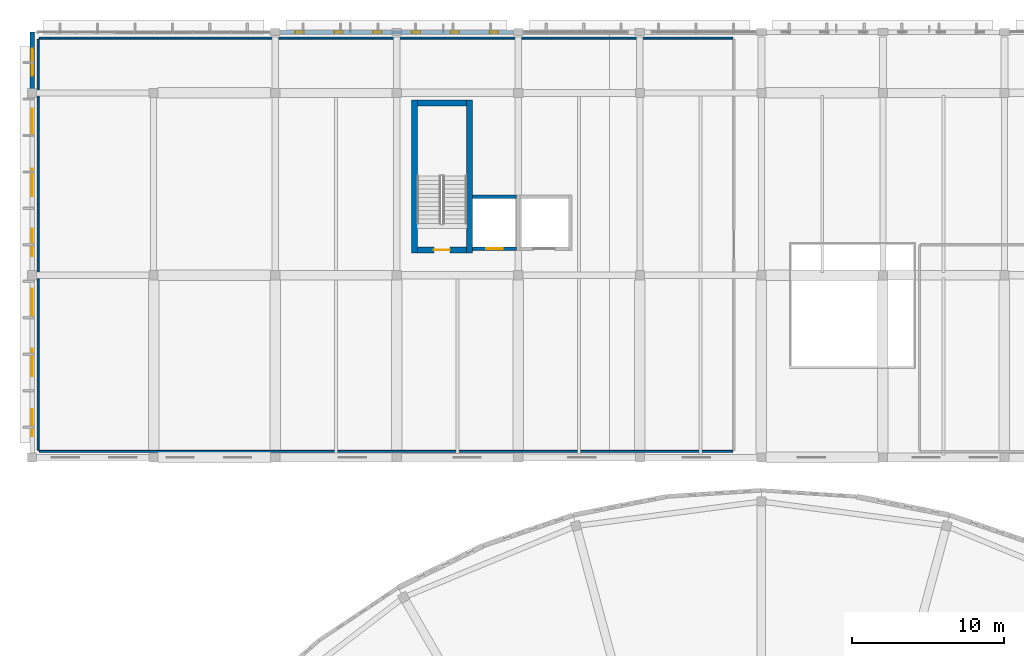
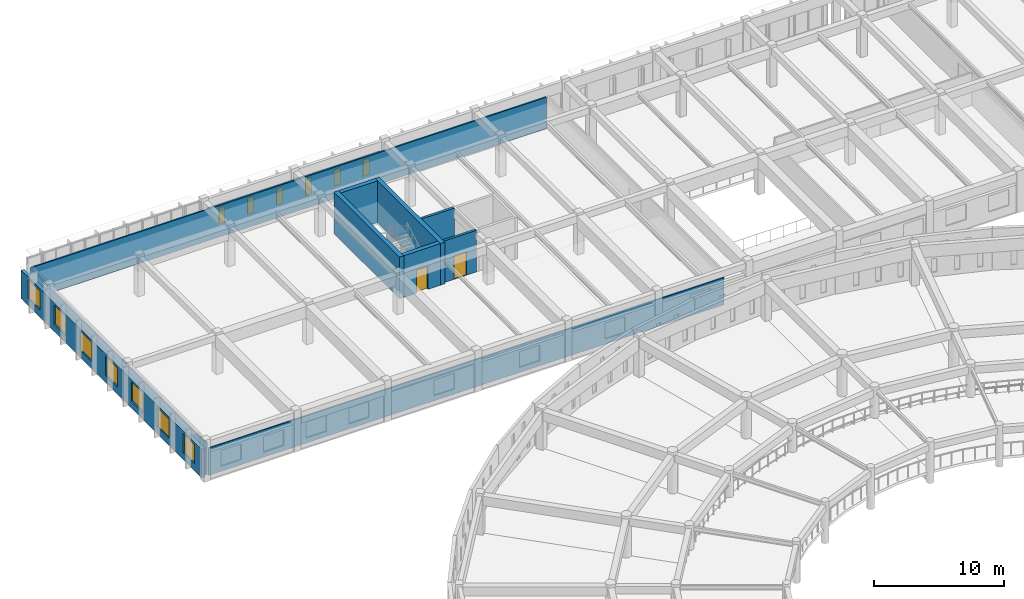
# One storey, part 66 of 98: 13 windows, 11 walls, 2 doors, 15 openings.
"""IFC4 building model written with IfcOpenShell, lengths in metres."""

from ifc_helpers import new_model, si_unit, direction, frame, frame_2d, origin, place, context, subcontext, project, spatial, rectangle, extrude, material, layer, layer_set, type_object, element, fill, save


model = new_model("IFC4")

# Units and contexts
model_context = context("Model", 3, precision=1e-05, world=origin(), true_north=direction((0.0, 1.0)))
body_context = subcontext(model_context, "Body", "Model", "MODEL_VIEW")
ifc_project = project(units=[si_unit("LENGTHUNIT", "METRE"), si_unit("AREAUNIT", "SQUARE_METRE"), si_unit("VOLUMEUNIT", "CUBIC_METRE"), si_unit("PLANEANGLEUNIT", "RADIAN"), si_unit("MASSUNIT", "GRAM", prefix="KILO")], contexts=[model_context])

# Site, building, storey
site_placement = place(None, origin())
site = spatial("IfcSite", under=ifc_project, at=site_placement, CompositionType="ELEMENT")
building_placement = place(site_placement, origin())
building = spatial("IfcBuilding", under=site, at=building_placement, Name="Larkveld Mobility Hub", CompositionType="ELEMENT")
storey_placement = place(building_placement, frame((0.0, 0.0, 4.5)))
storey = spatial("IfcBuildingStorey", under=building, at=storey_placement, Name="L01", CompositionType="ELEMENT", Elevation=4.5)

# Wall, openings, windows
ifc_material_1 = material(Name="Glazed architectural ceramic masonry 20 MPa", Category="masonry")
ifc_layer_1 = layer(ifc_material_1, 0.2451171875, Name="Glazed architectural ceramic masonry 20 MPa", Category="masonry")
ifc_layer_set_1 = layer_set([ifc_layer_1], Name="Glazed architectural ceramic masonry 20 MPa")
wall_type_1 = type_object("IfcWallType", Name="WL-COB-245", PredefinedType="USERDEFINED", material=ifc_layer_set_1)
wall_1_placement = place(storey_placement, frame((31.6650390625, 126.0, 0.0), z_axis=(0.0, 0.0, 1.0), x_axis=(-1.0, 0.0, 0.0)))
wall_1 = element("IfcWall", 1, at=wall_1_placement, inside=storey, type_object=wall_type_1, Name="Bicycle Hall Ceramic Cobogo Screen L01-0187", ObjectType="CERAMIC COBOGO SCREEN", PredefinedType="USERDEFINED", context=body_context, shape_type="SweptSolid", body=[
    extrude(rectangle(XDim=15.330078125, YDim=0.2451171875, at=frame_2d((7.6650390625, 0.0))), origin(), (0.0, 0.0, 1.0), 2.6650390625),
])
opening_1_placement = place(wall_1_placement, frame((0.9970703125, 0.0, 0.85009765625)))
opening_1 = element("IfcOpeningElement", 2, at=opening_1_placement, cuts=wall_1, Name="Opening W04", PredefinedType="OPENING", context=body_context, shape_type="SweptSolid", body=[
    extrude(rectangle(XDim=0.56005859375, YDim=1.550048828125, at=frame_2d((0.280029296875, 0.77490234375))), frame((0.0, 0.132568359375, 0.0), z_axis=(0.0, -1.0, 0.0), x_axis=(1.0, 0.0, 0.0)), (0.0, 0.0, 1.0), 0.26513671875),
])
opening_2_placement = place(wall_1_placement, frame((3.552001953125, 0.0, 0.85009765625)))
opening_2 = element("IfcOpeningElement", 3, at=opening_2_placement, cuts=wall_1, Name="Opening W04", PredefinedType="OPENING", context=body_context, shape_type="SweptSolid", body=[
    extrude(rectangle(XDim=0.56005859375, YDim=1.550048828125, at=frame_2d((0.280029296875, 0.77490234375))), frame((0.0, 0.132568359375, 0.0), z_axis=(0.0, -1.0, 0.0), x_axis=(1.0, 0.0, 0.0)), (0.0, 0.0, 1.0), 0.26513671875),
])
opening_3_placement = place(wall_1_placement, frame((6.10693359375, 0.0, 0.85009765625)))
opening_3 = element("IfcOpeningElement", 4, at=opening_3_placement, cuts=wall_1, Name="Opening W04", PredefinedType="OPENING", context=body_context, shape_type="SweptSolid", body=[
    extrude(rectangle(XDim=0.56005859375, YDim=1.550048828125, at=frame_2d((0.280029296875, 0.77490234375))), frame((0.0, 0.132568359375, 0.0), z_axis=(0.0, -1.0, 0.0), x_axis=(1.0, 0.0, 0.0)), (0.0, 0.0, 1.0), 0.26513671875),
])
opening_4_placement = place(wall_1_placement, frame((8.662109375, 0.0, 0.85009765625)))
opening_4 = element("IfcOpeningElement", 5, at=opening_4_placement, cuts=wall_1, Name="Opening W04", PredefinedType="OPENING", context=body_context, shape_type="SweptSolid", body=[
    extrude(rectangle(XDim=0.56005859375, YDim=1.550048828125, at=frame_2d((0.280029296875, 0.77490234375))), frame((0.0, 0.132568359375, 0.0), z_axis=(0.0, -1.0, 0.0), x_axis=(1.0, 0.0, 0.0)), (0.0, 0.0, 1.0), 0.26513671875),
])
opening_5_placement = place(wall_1_placement, frame((11.217041015625, 0.0, 0.85009765625)))
opening_5 = element("IfcOpeningElement", 6, at=opening_5_placement, cuts=wall_1, Name="Opening W04", PredefinedType="OPENING", context=body_context, shape_type="SweptSolid", body=[
    extrude(rectangle(XDim=0.56005859375, YDim=1.550048828125, at=frame_2d((0.280029296875, 0.77490234375))), frame((0.0, 0.132568359375, 0.0), z_axis=(0.0, -1.0, 0.0), x_axis=(1.0, 0.0, 0.0)), (0.0, 0.0, 1.0), 0.26513671875),
])
opening_6_placement = place(wall_1_placement, frame((13.77197265625, 0.0, 0.85009765625)))
opening_6 = element("IfcOpeningElement", 7, at=opening_6_placement, cuts=wall_1, Name="Opening W04", PredefinedType="OPENING", context=body_context, shape_type="SweptSolid", body=[
    extrude(rectangle(XDim=0.56005859375, YDim=1.550048828125, at=frame_2d((0.280029296875, 0.77490234375))), frame((0.0, 0.132568359375, 0.0), z_axis=(0.0, -1.0, 0.0), x_axis=(1.0, 0.0, 0.0)), (0.0, 0.0, 1.0), 0.26513671875),
])
ifc_material_2 = material(Name="Extruded aluminium cobogo vent frame", Category="aluminium")
window_type_1 = type_object("IfcWindowType", Name="WN-VENT-04", PartitioningType="SINGLE_PANEL", PredefinedType="WINDOW", material=ifc_material_2)
window_1_placement = place(opening_1_placement, origin())
window_1 = element("IfcWindow", 8, at=window_1_placement, inside=storey, type_object=window_type_1, Name="Window W04 (0873)", OverallHeight=1.550048828125, OverallWidth=0.56005859375, PartitioningType="SINGLE_PANEL", PredefinedType="WINDOW", context=body_context, shape_type="SweptSolid", body=[
    extrude(rectangle(XDim=0.56005859375, YDim=1.550048828125, at=frame_2d((0.280029296875, 0.77490234375))), frame((0.0, 0.030029296875, 0.0), z_axis=(0.0, -1.0, 0.0), x_axis=(1.0, 0.0, 0.0)), (0.0, 0.0, 1.0), 0.06005859375),
])
fill(opening_1, window_1)
window_2_placement = place(opening_2_placement, origin())
window_2 = element("IfcWindow", 9, at=window_2_placement, inside=storey, type_object=window_type_1, Name="Window W04 (0874)", OverallHeight=1.550048828125, OverallWidth=0.56005859375, PartitioningType="SINGLE_PANEL", PredefinedType="WINDOW", context=body_context, shape_type="SweptSolid", body=[
    extrude(rectangle(XDim=0.56005859375, YDim=1.550048828125, at=frame_2d((0.280029296875, 0.77490234375))), frame((0.0, 0.030029296875, 0.0), z_axis=(0.0, -1.0, 0.0), x_axis=(1.0, 0.0, 0.0)), (0.0, 0.0, 1.0), 0.06005859375),
])
fill(opening_2, window_2)
window_3_placement = place(opening_3_placement, origin())
window_3 = element("IfcWindow", 10, at=window_3_placement, inside=storey, type_object=window_type_1, Name="Window W04 (0875)", OverallHeight=1.550048828125, OverallWidth=0.56005859375, PartitioningType="SINGLE_PANEL", PredefinedType="WINDOW", context=body_context, shape_type="SweptSolid", body=[
    extrude(rectangle(XDim=0.56005859375, YDim=1.550048828125, at=frame_2d((0.280029296875, 0.77490234375))), frame((0.0, 0.030029296875, 0.0), z_axis=(0.0, -1.0, 0.0), x_axis=(1.0, 0.0, 0.0)), (0.0, 0.0, 1.0), 0.06005859375),
])
fill(opening_3, window_3)
window_4_placement = place(opening_4_placement, origin())
window_4 = element("IfcWindow", 11, at=window_4_placement, inside=storey, type_object=window_type_1, Name="Window W04 (0876)", OverallHeight=1.550048828125, OverallWidth=0.56005859375, PartitioningType="SINGLE_PANEL", PredefinedType="WINDOW", context=body_context, shape_type="SweptSolid", body=[
    extrude(rectangle(XDim=0.56005859375, YDim=1.550048828125, at=frame_2d((0.280029296875, 0.77490234375))), frame((0.0, 0.030029296875, 0.0), z_axis=(0.0, -1.0, 0.0), x_axis=(1.0, 0.0, 0.0)), (0.0, 0.0, 1.0), 0.06005859375),
])
fill(opening_4, window_4)
window_5_placement = place(opening_5_placement, origin())
window_5 = element("IfcWindow", 12, at=window_5_placement, inside=storey, type_object=window_type_1, Name="Window W04 (0877)", OverallHeight=1.550048828125, OverallWidth=0.56005859375, PartitioningType="SINGLE_PANEL", PredefinedType="WINDOW", context=body_context, shape_type="SweptSolid", body=[
    extrude(rectangle(XDim=0.56005859375, YDim=1.550048828125, at=frame_2d((0.280029296875, 0.77490234375))), frame((0.0, 0.030029296875, 0.0), z_axis=(0.0, -1.0, 0.0), x_axis=(1.0, 0.0, 0.0)), (0.0, 0.0, 1.0), 0.06005859375),
])
fill(opening_5, window_5)
window_6_placement = place(opening_6_placement, origin())
window_6 = element("IfcWindow", 13, at=window_6_placement, inside=storey, type_object=window_type_1, Name="Window W04 (0878)", OverallHeight=1.550048828125, OverallWidth=0.56005859375, PartitioningType="SINGLE_PANEL", PredefinedType="WINDOW", context=body_context, shape_type="SweptSolid", body=[
    extrude(rectangle(XDim=0.56005859375, YDim=1.550048828125, at=frame_2d((0.280029296875, 0.77490234375))), frame((0.0, 0.030029296875, 0.0), z_axis=(0.0, -1.0, 0.0), x_axis=(1.0, 0.0, 0.0)), (0.0, 0.0, 1.0), 0.06005859375),
])
fill(opening_6, window_6)

ifc_material_3 = material(Name="Precast concrete C50/60", Category="concrete")
ifc_layer_2 = layer(ifc_material_3, 0.300048828125, Name="Precast concrete C50/60", Category="concrete")
ifc_layer_set_2 = layer_set([ifc_layer_2], Name="Precast concrete C50/60")
wall_type_2 = type_object("IfcWallType", Name="WL-EXT-300", PredefinedType="SOLIDWALL", material=ifc_layer_set_2)
wall_2_placement = place(storey_placement, frame((0.0, 126.0, 0.0), z_axis=(0.0, 0.0, 1.0), x_axis=(0.0, -1.0, 0.0)))
wall_2 = element("IfcWall", 14, at=wall_2_placement, inside=storey, type_object=wall_type_2, Name="Bicycle Hall West End Wall L01-0191", PredefinedType="SOLIDWALL", context=body_context, shape_type="SweptSolid", body=[
    extrude(rectangle(XDim=27.68994140625, YDim=0.300048828125, at=frame_2d((13.844970703125, 0.0))), origin(), (0.0, 0.0, 1.0), 2.6650390625),
])
opening_7_placement = place(wall_2_placement, frame((1.077880859375, 0.0, 0.6650390625)))
opening_7 = element("IfcOpeningElement", 15, at=opening_7_placement, cuts=wall_2, Name="Opening W12", PredefinedType="OPENING", context=body_context, shape_type="SweptSolid", body=[
    extrude(rectangle(XDim=1.800048828125, YDim=1.800048828125, at=frame_2d((0.89990234375, 0.89990234375))), frame((0.0, 0.16015625, 0.0), z_axis=(0.0, -1.0, 0.0), x_axis=(1.0, 0.0, 0.0)), (0.0, 0.0, 1.0), 0.320068359375),
])
opening_8_placement = place(wall_2_placement, frame((5.033935546875, 0.0, 0.6650390625)))
opening_8 = element("IfcOpeningElement", 16, at=opening_8_placement, cuts=wall_2, Name="Opening W12", PredefinedType="OPENING", context=body_context, shape_type="SweptSolid", body=[
    extrude(rectangle(XDim=1.800048828125, YDim=1.800048828125, at=frame_2d((0.89990234375, 0.89990234375))), frame((0.0, 0.16015625, 0.0), z_axis=(0.0, -1.0, 0.0), x_axis=(1.0, 0.0, 0.0)), (0.0, 0.0, 1.0), 0.320068359375),
])
opening_9_placement = place(wall_2_placement, frame((8.989013671875, 0.0, 0.6650390625)))
opening_9 = element("IfcOpeningElement", 17, at=opening_9_placement, cuts=wall_2, Name="Opening W12", PredefinedType="OPENING", context=body_context, shape_type="SweptSolid", body=[
    extrude(rectangle(XDim=1.800048828125, YDim=1.800048828125, at=frame_2d((0.89990234375, 0.89990234375))), frame((0.0, 0.16015625, 0.0), z_axis=(0.0, -1.0, 0.0), x_axis=(1.0, 0.0, 0.0)), (0.0, 0.0, 1.0), 0.320068359375),
])
opening_10_placement = place(wall_2_placement, frame((12.945068359375, 0.0, 0.6650390625)))
opening_10 = element("IfcOpeningElement", 18, at=opening_10_placement, cuts=wall_2, Name="Opening W12", PredefinedType="OPENING", context=body_context, shape_type="SweptSolid", body=[
    extrude(rectangle(XDim=1.800048828125, YDim=1.800048828125, at=frame_2d((0.89990234375, 0.89990234375))), frame((0.0, 0.16015625, 0.0), z_axis=(0.0, -1.0, 0.0), x_axis=(1.0, 0.0, 0.0)), (0.0, 0.0, 1.0), 0.320068359375),
])
opening_11_placement = place(wall_2_placement, frame((16.90087890625, 0.0, 0.6650390625)))
opening_11 = element("IfcOpeningElement", 19, at=opening_11_placement, cuts=wall_2, Name="Opening W12", PredefinedType="OPENING", context=body_context, shape_type="SweptSolid", body=[
    extrude(rectangle(XDim=1.800048828125, YDim=1.800048828125, at=frame_2d((0.89990234375, 0.89990234375))), frame((0.0, 0.16015625, 0.0), z_axis=(0.0, -1.0, 0.0), x_axis=(1.0, 0.0, 0.0)), (0.0, 0.0, 1.0), 0.320068359375),
])
opening_12_placement = place(wall_2_placement, frame((20.85595703125, 0.0, 0.6650390625)))
opening_12 = element("IfcOpeningElement", 20, at=opening_12_placement, cuts=wall_2, Name="Opening W12", PredefinedType="OPENING", context=body_context, shape_type="SweptSolid", body=[
    extrude(rectangle(XDim=1.800048828125, YDim=1.800048828125, at=frame_2d((0.89990234375, 0.89990234375))), frame((0.0, 0.16015625, 0.0), z_axis=(0.0, -1.0, 0.0), x_axis=(1.0, 0.0, 0.0)), (0.0, 0.0, 1.0), 0.320068359375),
])
opening_13_placement = place(wall_2_placement, frame((24.81201171875, 0.0, 0.6650390625)))
opening_13 = element("IfcOpeningElement", 21, at=opening_13_placement, cuts=wall_2, Name="Opening W12", PredefinedType="OPENING", context=body_context, shape_type="SweptSolid", body=[
    extrude(rectangle(XDim=1.800048828125, YDim=1.800048828125, at=frame_2d((0.89990234375, 0.89990234375))), frame((0.0, 0.16015625, 0.0), z_axis=(0.0, -1.0, 0.0), x_axis=(1.0, 0.0, 0.0)), (0.0, 0.0, 1.0), 0.320068359375),
])
ifc_material_4 = material(Name="Low-E double glazing in aluminium frame", Category="aluminium")
window_type_2 = type_object("IfcWindowType", Name="WN-ALU-12", PartitioningType="SINGLE_PANEL", PredefinedType="WINDOW", material=ifc_material_4)
window_7_placement = place(opening_7_placement, origin())
window_7 = element("IfcWindow", 22, at=window_7_placement, inside=storey, type_object=window_type_2, Name="Window W12 (0907)", OverallHeight=1.800048828125, OverallWidth=1.800048828125, PartitioningType="SINGLE_PANEL", PredefinedType="WINDOW", context=body_context, shape_type="SweptSolid", body=[
    extrude(rectangle(XDim=1.800048828125, YDim=1.800048828125, at=frame_2d((0.89990234375, 0.89990234375))), frame((0.0, 0.030029296875, 0.0), z_axis=(0.0, -1.0, 0.0), x_axis=(1.0, 0.0, 0.0)), (0.0, 0.0, 1.0), 0.06005859375),
])
fill(opening_7, window_7)
window_8_placement = place(opening_8_placement, origin())
window_8 = element("IfcWindow", 23, at=window_8_placement, inside=storey, type_object=window_type_2, Name="Window W12 (0908)", OverallHeight=1.800048828125, OverallWidth=1.800048828125, PartitioningType="SINGLE_PANEL", PredefinedType="WINDOW", context=body_context, shape_type="SweptSolid", body=[
    extrude(rectangle(XDim=1.800048828125, YDim=1.800048828125, at=frame_2d((0.89990234375, 0.89990234375))), frame((0.0, 0.030029296875, 0.0), z_axis=(0.0, -1.0, 0.0), x_axis=(1.0, 0.0, 0.0)), (0.0, 0.0, 1.0), 0.06005859375),
])
fill(opening_8, window_8)
window_9_placement = place(opening_9_placement, origin())
window_9 = element("IfcWindow", 24, at=window_9_placement, inside=storey, type_object=window_type_2, Name="Window W12 (0909)", OverallHeight=1.800048828125, OverallWidth=1.800048828125, PartitioningType="SINGLE_PANEL", PredefinedType="WINDOW", context=body_context, shape_type="SweptSolid", body=[
    extrude(rectangle(XDim=1.800048828125, YDim=1.800048828125, at=frame_2d((0.89990234375, 0.89990234375))), frame((0.0, 0.030029296875, 0.0), z_axis=(0.0, -1.0, 0.0), x_axis=(1.0, 0.0, 0.0)), (0.0, 0.0, 1.0), 0.06005859375),
])
fill(opening_9, window_9)
window_10_placement = place(opening_10_placement, origin())
window_10 = element("IfcWindow", 25, at=window_10_placement, inside=storey, type_object=window_type_2, Name="Window W12 (0910)", OverallHeight=1.800048828125, OverallWidth=1.800048828125, PartitioningType="SINGLE_PANEL", PredefinedType="WINDOW", context=body_context, shape_type="SweptSolid", body=[
    extrude(rectangle(XDim=1.800048828125, YDim=1.800048828125, at=frame_2d((0.89990234375, 0.89990234375))), frame((0.0, 0.030029296875, 0.0), z_axis=(0.0, -1.0, 0.0), x_axis=(1.0, 0.0, 0.0)), (0.0, 0.0, 1.0), 0.06005859375),
])
fill(opening_10, window_10)
window_11_placement = place(opening_11_placement, origin())
window_11 = element("IfcWindow", 26, at=window_11_placement, inside=storey, type_object=window_type_2, Name="Window W12 (0911)", OverallHeight=1.800048828125, OverallWidth=1.800048828125, PartitioningType="SINGLE_PANEL", PredefinedType="WINDOW", context=body_context, shape_type="SweptSolid", body=[
    extrude(rectangle(XDim=1.800048828125, YDim=1.800048828125, at=frame_2d((0.89990234375, 0.89990234375))), frame((0.0, 0.030029296875, 0.0), z_axis=(0.0, -1.0, 0.0), x_axis=(1.0, 0.0, 0.0)), (0.0, 0.0, 1.0), 0.06005859375),
])
fill(opening_11, window_11)
window_12_placement = place(opening_12_placement, origin())
window_12 = element("IfcWindow", 27, at=window_12_placement, inside=storey, type_object=window_type_2, Name="Window W12 (0912)", OverallHeight=1.800048828125, OverallWidth=1.800048828125, PartitioningType="SINGLE_PANEL", PredefinedType="WINDOW", context=body_context, shape_type="SweptSolid", body=[
    extrude(rectangle(XDim=1.800048828125, YDim=1.800048828125, at=frame_2d((0.89990234375, 0.89990234375))), frame((0.0, 0.030029296875, 0.0), z_axis=(0.0, -1.0, 0.0), x_axis=(1.0, 0.0, 0.0)), (0.0, 0.0, 1.0), 0.06005859375),
])
fill(opening_12, window_12)
window_13_placement = place(opening_13_placement, origin())
window_13 = element("IfcWindow", 28, at=window_13_placement, inside=storey, type_object=window_type_2, Name="Window W12 (0913)", OverallHeight=1.800048828125, OverallWidth=1.800048828125, PartitioningType="SINGLE_PANEL", PredefinedType="WINDOW", context=body_context, shape_type="SweptSolid", body=[
    extrude(rectangle(XDim=1.800048828125, YDim=1.800048828125, at=frame_2d((0.89990234375, 0.89990234375))), frame((0.0, 0.030029296875, 0.0), z_axis=(0.0, -1.0, 0.0), x_axis=(1.0, 0.0, 0.0)), (0.0, 0.0, 1.0), 0.06005859375),
])
fill(opening_13, window_13)

# Walls
ifc_material_5 = material(Name="Concrete blockwork masonry 14 MPa", Category="masonry")
ifc_layer_3 = layer(ifc_material_5, 0.1298828125, Name="Concrete blockwork masonry 14 MPa", Category="masonry")
ifc_layer_set_3 = layer_set([ifc_layer_3], Name="Concrete blockwork masonry 14 MPa")
wall_type_3 = type_object("IfcWallType", Name="WL-PRT-130", PredefinedType="PARTITIONING", material=ifc_layer_set_3)
wall_3_placement = place(storey_placement, frame((0.47998046875, 98.402099609375, 0.0), z_axis=(0.0, 0.0, 1.0), x_axis=(1.0, 0.0, 0.0)))
element("IfcWall", 29, at=wall_3_placement, inside=storey, type_object=wall_type_3, Name="Upper Commuter Bicycle Mezzanine Hall Partition 0083", PredefinedType="PARTITIONING", context=body_context, shape_type="SweptSolid", body=[
    extrude(rectangle(XDim=45.636962890625, YDim=0.1298828125, at=frame_2d((22.818359375, 0.0))), origin(), (0.0, 0.0, 1.0), 2.544921875),
])
wall_4_placement = place(storey_placement, frame((0.47998046875, 125.60009765625, 0.0), z_axis=(0.0, 0.0, 1.0), x_axis=(1.0, 0.0, 0.0)))
element("IfcWall", 30, at=wall_4_placement, inside=storey, type_object=wall_type_3, Name="Upper Commuter Bicycle Mezzanine Hall Partition 0084", PredefinedType="PARTITIONING", context=body_context, shape_type="SweptSolid", body=[
    extrude(rectangle(XDim=45.636962890625, YDim=0.1298828125, at=frame_2d((22.818359375, 0.0))), origin(), (0.0, 0.0, 1.0), 2.945068359375),
])
wall_5_placement = place(storey_placement, frame((0.39990234375, 98.48193359375, 0.0), z_axis=(0.0, 0.0, 1.0), x_axis=(0.0, 1.0, 0.0)))
element("IfcWall", 31, at=wall_5_placement, inside=storey, type_object=wall_type_3, Name="Upper Commuter Bicycle Mezzanine Hall Partition 0085", PredefinedType="PARTITIONING", context=body_context, shape_type="SweptSolid", body=[
    extrude(rectangle(XDim=27.0380859375, YDim=0.1298828125, at=frame_2d((13.51904296875, 0.0))), origin(), (0.0, 0.0, 1.0), 3.044921875),
])

# Wall, opening, door
ifc_material_6 = material(Name="Concrete C40/50", Category="concrete")
ifc_layer_4 = layer(ifc_material_6, 0.219970703125, Name="Concrete C40/50", Category="concrete")
ifc_layer_set_4 = layer_set([ifc_layer_4], Name="Concrete C40/50")
wall_type_4 = type_object("IfcWallType", Name="WL-SHF-220", PredefinedType="SHEAR", material=ifc_layer_set_4)
wall_6_placement = place(storey_placement, frame((31.8798828125, 111.739990234375, 0.0), z_axis=(0.0, 0.0, 1.0), x_axis=(-1.0, 0.0, 0.0)))
wall_6 = element("IfcWall", 32, at=wall_6_placement, inside=storey, type_object=wall_type_4, Name="Lift PL5 Shaft Wall L01-S", PredefinedType="SHEAR", context=body_context, shape_type="SweptSolid", body=[
    extrude(rectangle(XDim=2.89990234375, YDim=0.219970703125, at=frame_2d((1.449951171875, 0.0))), origin(), (0.0, 0.0, 1.0), 3.89990234375),
])
opening_14_placement = place(wall_6_placement, frame((0.89990234375, 0.0, 0.0)))
opening_14 = element("IfcOpeningElement", 33, at=opening_14_placement, cuts=wall_6, Name="Opening LD01", PredefinedType="OPENING", context=body_context, shape_type="SweptSolid", body=[
    extrude(rectangle(XDim=1.10009765625, YDim=2.199951171875, at=frame_2d((0.550048828125, 1.10009765625))), frame((0.0, 0.1201171875, 0.0), z_axis=(0.0, -1.0, 0.0), x_axis=(1.0, 0.0, 0.0)), (0.0, 0.0, 1.0), 0.239990234375),
])
ifc_material_7 = material(Name="Brushed stainless Steel S355JR sliding landing door", Category="steel")
door_type_1 = type_object("IfcDoorType", Name="DR-LD-110", OperationType="DOUBLE_DOOR_SLIDING", PredefinedType="DOOR", material=ifc_material_7)
door_1_placement = place(opening_14_placement, origin())
door_1 = element("IfcDoor", 34, at=door_1_placement, inside=storey, type_object=door_type_1, Name="Lift landing door PL5-L01", OperationType="DOUBLE_DOOR_SLIDING", OverallHeight=2.199951171875, OverallWidth=1.10009765625, PredefinedType="DOOR", context=body_context, shape_type="SweptSolid", body=[
    extrude(rectangle(XDim=1.10009765625, YDim=2.199951171875, at=frame_2d((0.550048828125, 1.10009765625))), frame((0.0, 0.02490234375, 0.0), z_axis=(0.0, -1.0, 0.0), x_axis=(1.0, 0.0, 0.0)), (0.0, 0.0, 1.0), 0.050048828125),
])
fill(opening_14, door_1)

# Walls
wall_7_placement = place(storey_placement, frame((28.97998046875, 115.159912109375, 0.0), z_axis=(0.0, 0.0, 1.0), x_axis=(1.0, 0.0, 0.0)))
element("IfcWall", 35, at=wall_7_placement, inside=storey, type_object=wall_type_4, Name="Lift PL5 Shaft Wall L01-N", PredefinedType="SHEAR", context=body_context, shape_type="SweptSolid", body=[
    extrude(rectangle(XDim=2.89990234375, YDim=0.219970703125, at=frame_2d((1.449951171875, 0.0))), origin(), (0.0, 0.0, 1.0), 3.89990234375),
])
ifc_layer_5 = layer(ifc_material_6, 0.3798828125, Name="Concrete C40/50", Category="concrete")
ifc_layer_set_5 = layer_set([ifc_layer_5], Name="Concrete C40/50")
wall_type_5 = type_object("IfcWallType", Name="WL-SHR-06", PredefinedType="SHEAR", material=ifc_layer_set_5)
for number, where, z_axis, x_axis, name in (
    (36, (25.159912109375, 111.469970703125, 0.0), (0.0, 0.0, 1.0), (0.0, 1.0, 0.0), "Core C6 Stair Shear Wall L01-W"),
    (37, (28.7900390625, 121.530029296875, 0.0), (0.0, 0.0, 1.0), (0.0, -1.0, 0.0), "Core C6 Stair Shear Wall L01-E"),
):
    element("IfcWall", number, at=place(storey_placement, frame(where, z_axis=z_axis, x_axis=x_axis)), inside=storey, type_object=wall_type_5, Name=name, PredefinedType="SHEAR", context=body_context, shape_type="SweptSolid", body=[
        extrude(rectangle(XDim=10.06005859375, YDim=0.3798828125, at=frame_2d((5.030029296875, 0.0))), origin(), (0.0, 0.0, 1.0), 3.89990234375),
    ])

# Wall, opening, door
wall_8_placement = place(storey_placement, frame((28.60009765625, 111.659912109375, 0.0), z_axis=(0.0, 0.0, 1.0), x_axis=(-1.0, 0.0, 0.0)))
wall_8 = element("IfcWall", 38, at=wall_8_placement, inside=storey, type_object=wall_type_5, Name="Core C6 Stair Shear Wall L01-S", PredefinedType="SHEAR", context=body_context, shape_type="SweptSolid", body=[
    extrude(rectangle(XDim=3.25, YDim=0.3798828125, at=frame_2d((1.625, 0.0))), origin(), (0.0, 0.0, 1.0), 3.89990234375),
])
opening_15_placement = place(wall_8_placement, frame((1.10009765625, 0.0, 0.0)))
opening_15 = element("IfcOpeningElement", 39, at=opening_15_placement, cuts=wall_8, Name="Opening DF02", PredefinedType="OPENING", context=body_context, shape_type="SweptSolid", body=[
    extrude(rectangle(XDim=1.050048828125, YDim=2.14990234375, at=frame_2d((0.52490234375, 1.074951171875))), frame((0.0, 0.199951171875, 0.0), z_axis=(0.0, -1.0, 0.0), x_axis=(1.0, 0.0, 0.0)), (0.0, 0.0, 1.0), 0.39990234375),
])
ifc_material_8 = material(Name="Pressed Steel S355JR fire door assembly", Category="steel")
door_type_2 = type_object("IfcDoorType", Name="DR-FD60", OperationType="NOTDEFINED", PredefinedType="DOOR", material=ifc_material_8)
door_2_placement = place(opening_15_placement, origin())
door_2 = element("IfcDoor", 40, at=door_2_placement, inside=storey, type_object=door_type_2, Name="Stair ST6 Fire Door L01", OperationType="SINGLE_SWING_LEFT", OverallHeight=2.14990234375, OverallWidth=1.050048828125, PredefinedType="DOOR", context=body_context, shape_type="SweptSolid", body=[
    extrude(rectangle(XDim=1.050048828125, YDim=2.14990234375, at=frame_2d((0.52490234375, 1.074951171875))), frame((0.0, 0.02490234375, 0.0), z_axis=(0.0, -1.0, 0.0), x_axis=(1.0, 0.0, 0.0)), (0.0, 0.0, 1.0), 0.050048828125),
])
fill(opening_15, door_2)

# Wall
wall_9_placement = place(storey_placement, frame((25.35009765625, 121.340087890625, 0.0), z_axis=(0.0, 0.0, 1.0), x_axis=(1.0, 0.0, 0.0)))
element("IfcWall", 41, at=wall_9_placement, inside=storey, type_object=wall_type_5, Name="Core C6 Stair Shear Wall L01-N", PredefinedType="SHEAR", context=body_context, shape_type="SweptSolid", body=[
    extrude(rectangle(XDim=3.25, YDim=0.3798828125, at=frame_2d((1.625, 0.0))), origin(), (0.0, 0.0, 1.0), 3.89990234375),
])

save(model, "model.ifc")
